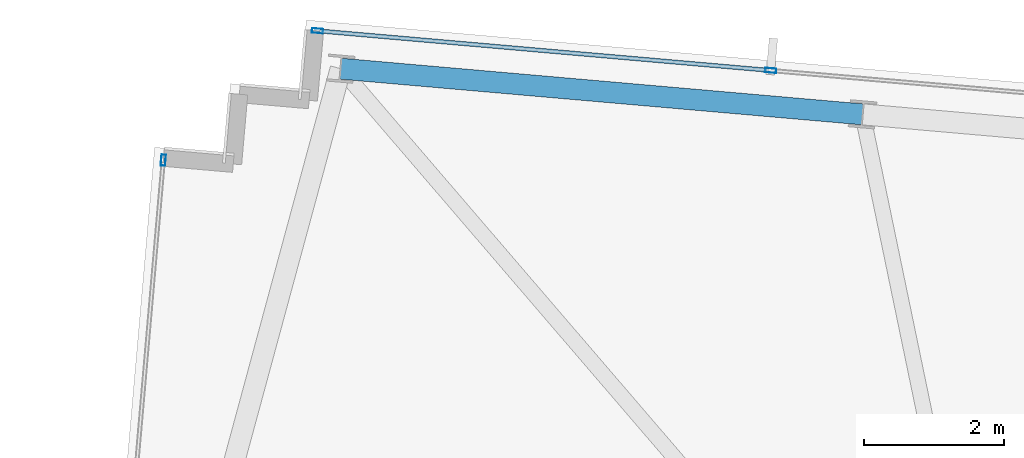
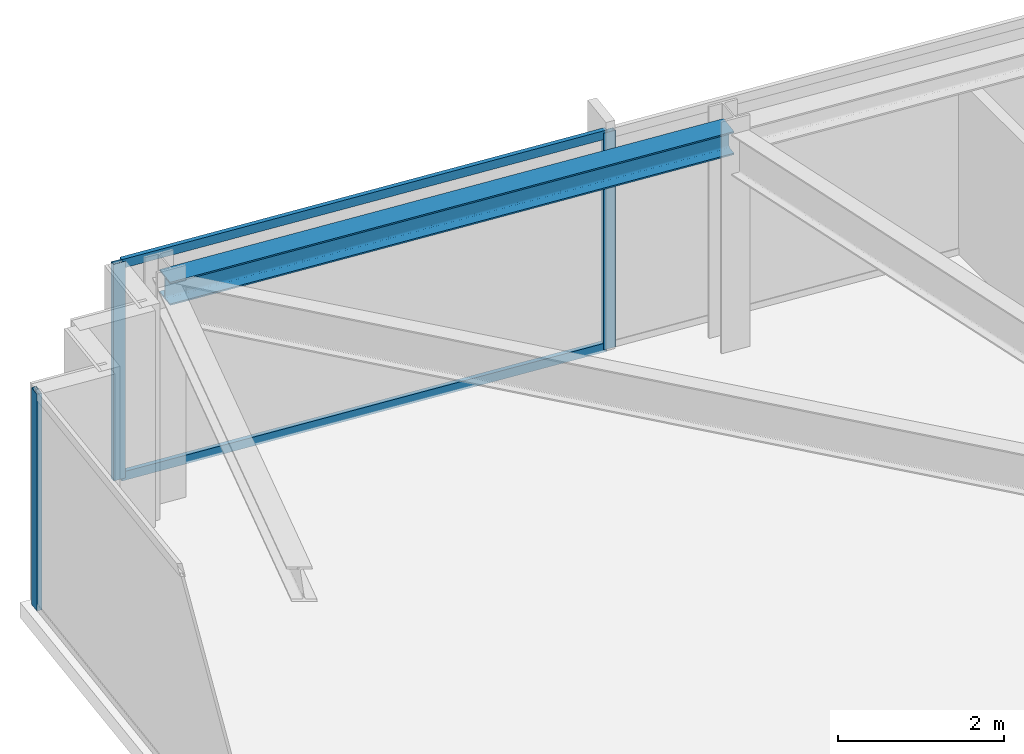
# One storey, part 23 of 33: 5 members, 1 beam, 2 elements without a shape of their own.
"""IFC4 building model written with IfcOpenShell, lengths in metres."""

from ifc_helpers import new_model, si_unit, direction, frame, origin, origin_2d, place, context, subcontext, project, spatial, hollow_rectangle, i_section, extrude, material, material_profile, profile_set, type_object, element, aggregate, save


model = new_model("IFC4")

# Units and contexts
model_context = context("Model", 3, precision=1e-05, world=origin(), true_north=direction((0.0, 1.0)))
body_context = subcontext(model_context, "Body", "Model", "MODEL_VIEW")
ifc_project = project(units=[si_unit("LENGTHUNIT", "METRE"), si_unit("AREAUNIT", "SQUARE_METRE"), si_unit("VOLUMEUNIT", "CUBIC_METRE"), si_unit("PLANEANGLEUNIT", "RADIAN"), si_unit("MASSUNIT", "GRAM", prefix="KILO")], contexts=[model_context])

# Site, building, storey
site_placement = place(None, origin())
site = spatial("IfcSite", under=ifc_project, at=site_placement, CompositionType="ELEMENT")
building_placement = place(site_placement, origin())
building = spatial("IfcBuilding", under=site, at=building_placement, Name="Yelkora Congress Tower", CompositionType="ELEMENT")
storey_placement = place(building_placement, frame((0.0, 0.0, 282.89990234375)))
storey = spatial("IfcBuildingStorey", under=building, at=storey_placement, Name="L79", CompositionType="ELEMENT", Elevation=282.89990234375)

# Beam
ifc_material_1 = material(Name="Steel S355J2", Category="steel")
ifc_material_profile_1 = material_profile(ifc_material_1, i_section(OverallWidth=0.300048828125, OverallDepth=0.340087890625, WebThickness=0.011962890625, FlangeThickness=0.021484375, FilletRadius=0.027099609375, at=origin_2d()), Name="HEB 340")
ifc_profile_set_1 = profile_set([ifc_material_profile_1], Name="Steel S355J2")
beam_type = type_object("IfcBeamType", Name="BM-SPAN-HEB340", PredefinedType="SPANDREL", material=ifc_profile_set_1)
beam_placement = place(storey_placement, frame((18.058837890625, 49.231689453125, 3.010009765625), z_axis=(-0.996193186297, 0.08717302092, 0.0), x_axis=(-0.08717302092, -0.996193186297, 0.0)))
element("IfcBeam", 1, at=beam_placement, inside=storey, type_object=beam_type, Name="L79 Perimeter Beam 12", PredefinedType="SPANDREL", context=body_context, shape_type="SweptSolid", body=[
    extrude(i_section(OverallWidth=0.300048828125, OverallDepth=0.340087890625, WebThickness=0.011962890625, FlangeThickness=0.021484375, FilletRadius=0.027099609375, at=origin_2d()), origin(), (0.0, 0.0, 1.0), 7.4833984375),
])

# Curtain wall, member
ifc_material_2 = material(Name="Anodised aluminium and insulated glass", Category="aluminium")
curtain_wall_type = type_object("IfcCurtainWallType", Name="CW-SYS-B5", PredefinedType="NOTDEFINED", material=ifc_material_2)
curtain_wall_1_placement = place(storey_placement, origin())
curtain_wall_1 = element("IfcCurtainWall", 2, at=curtain_wall_1_placement, inside=storey, type_object=curtain_wall_type, Name="L79 Unitised Curtain Wall 5", PredefinedType="NOTDEFINED")
ifc_material_3 = material(Name="Anodised aluminium 6063-T6", Category="aluminium")
ifc_material_profile_2 = material_profile(ifc_material_3, hollow_rectangle(XDim=0.06494140625, YDim=0.159912109375, WallThickness=0.00390625, at=origin_2d()), Name="ALU 65x160x4")
ifc_profile_set_2 = profile_set([ifc_material_profile_2], Name="Anodised aluminium 6063-T6")
member_type_1 = type_object("IfcMemberType", Name="MEM-ML-B5", PredefinedType="MULLION", material=ifc_profile_set_2)
member_1_placement = place(storey_placement, frame((8.070556640625, 48.577392578125, 0.0), z_axis=(0.0, 0.0, 1.0), x_axis=(-0.996194785929, 0.08715473876, 0.0)))
member_1 = element("IfcMember", 3, at=member_1_placement, type_object=member_type_1, Name="CW-B5 mullion 5", PredefinedType="MULLION", context=body_context, shape_type="SweptSolid", body=[
    extrude(hollow_rectangle(XDim=0.06494140625, YDim=0.159912109375, WallThickness=0.00390625, at=origin_2d()), origin(), (0.0, 0.0, 1.0), 3.18017578125),
])
aggregate(curtain_wall_1, [member_1])

# Curtain wall, members
curtain_wall_2_placement = place(storey_placement, origin())
curtain_wall_2 = element("IfcCurtainWall", 4, at=curtain_wall_2_placement, inside=storey, type_object=curtain_wall_type, Name="L79 Unitised Curtain Wall 10", PredefinedType="NOTDEFINED")
member_2_placement = place(storey_placement, frame((10.2724609375, 50.425048828125, 0.0), z_axis=(0.0, 0.0, 1.0), x_axis=(0.087156639893, 0.996194619601, 0.0)))
member_2 = element("IfcMember", 5, at=member_2_placement, type_object=member_type_1, Name="CW-B5 mullion 1", PredefinedType="MULLION", context=body_context, shape_type="SweptSolid", body=[
    extrude(hollow_rectangle(XDim=0.06494140625, YDim=0.159912109375, WallThickness=0.00390625, at=origin_2d()), origin(), (0.0, 0.0, 1.0), 3.18017578125),
])
member_3_placement = place(storey_placement, frame((16.74658203125, 49.858642578125, 0.0), z_axis=(0.0, 0.0, 1.0), x_axis=(0.087156639893, 0.996194619601, 0.0)))
member_3 = element("IfcMember", 6, at=member_3_placement, type_object=member_type_1, Name="CW-B5 mullion 2", PredefinedType="MULLION", context=body_context, shape_type="SweptSolid", body=[
    extrude(hollow_rectangle(XDim=0.06494140625, YDim=0.159912109375, WallThickness=0.00390625, at=origin_2d()), origin(), (0.0, 0.0, 1.0), 3.18017578125),
])
ifc_material_profile_3 = material_profile(ifc_material_3, hollow_rectangle(XDim=0.06005859375, YDim=0.1298828125, WallThickness=0.00390625, at=origin_2d()), Name="ALU 60x130x4")
ifc_profile_set_3 = profile_set([ifc_material_profile_3], Name="Anodised aluminium 6063-T6")
member_type_2 = type_object("IfcMemberType", Name="MEM-TR-B5", PredefinedType="USERDEFINED", material=ifc_profile_set_3)
member_4_placement = place(storey_placement, frame((10.3046875, 50.422119140625, 0.030029296875), z_axis=(0.996194170551, -0.08716177236, 0.0), x_axis=(0.08716177236, 0.996194170551, 0.0)))
member_4 = element("IfcMember", 7, at=member_4_placement, type_object=member_type_2, Name="CW-B5 transom 1.1", ObjectType="TRANSOM", PredefinedType="USERDEFINED", context=body_context, shape_type="SweptSolid", body=[
    extrude(hollow_rectangle(XDim=0.06005859375, YDim=0.1298828125, WallThickness=0.00390625, at=origin_2d()), origin(), (0.0, 0.0, 1.0), 6.433837890625),
])
member_5_placement = place(storey_placement, frame((10.3046875, 50.422119140625, 3.150146484375), z_axis=(0.996194170551, -0.08716177236, 0.0), x_axis=(0.08716177236, 0.996194170551, 0.0)))
member_5 = element("IfcMember", 8, at=member_5_placement, type_object=member_type_2, Name="CW-B5 transom 1.2", ObjectType="TRANSOM", PredefinedType="USERDEFINED", context=body_context, shape_type="SweptSolid", body=[
    extrude(hollow_rectangle(XDim=0.06005859375, YDim=0.1298828125, WallThickness=0.00390625, at=origin_2d()), origin(), (0.0, 0.0, 1.0), 6.433837890625),
])
aggregate(curtain_wall_2, [member_2, member_3, member_4, member_5])

save(model, "model.ifc")
